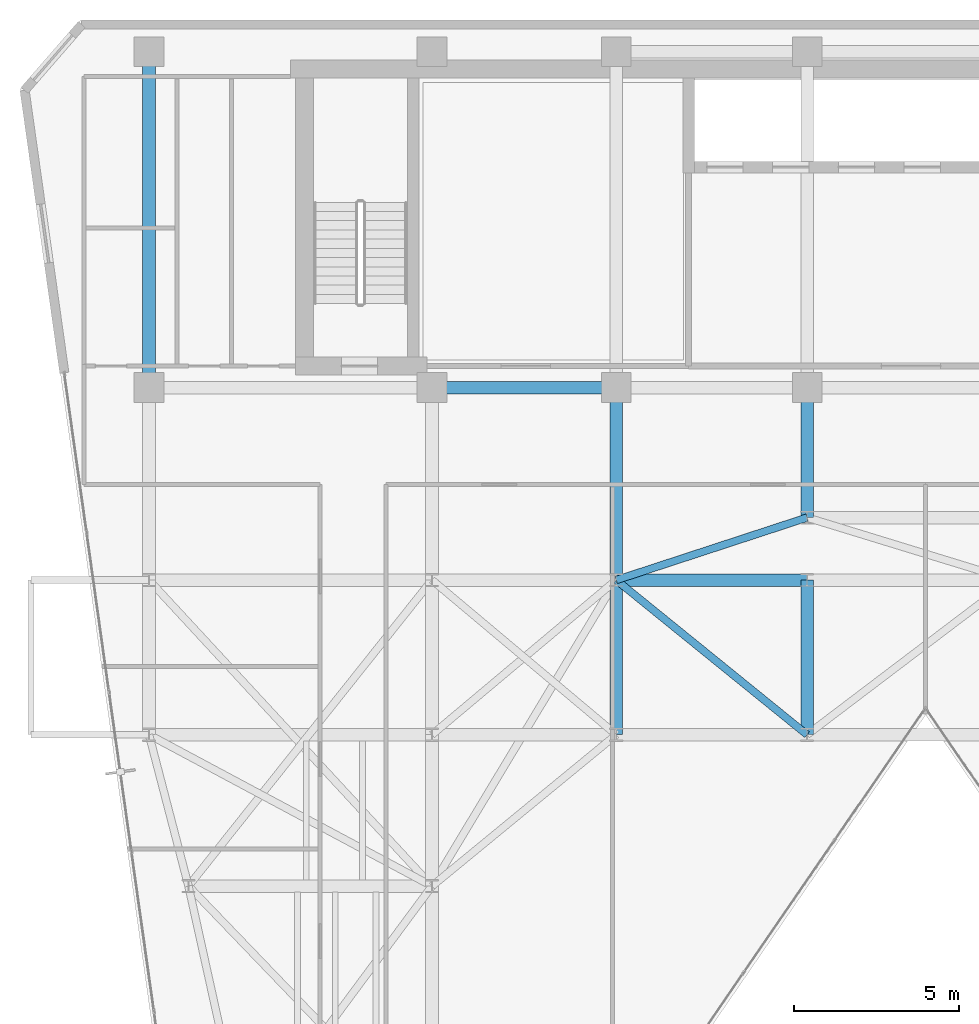
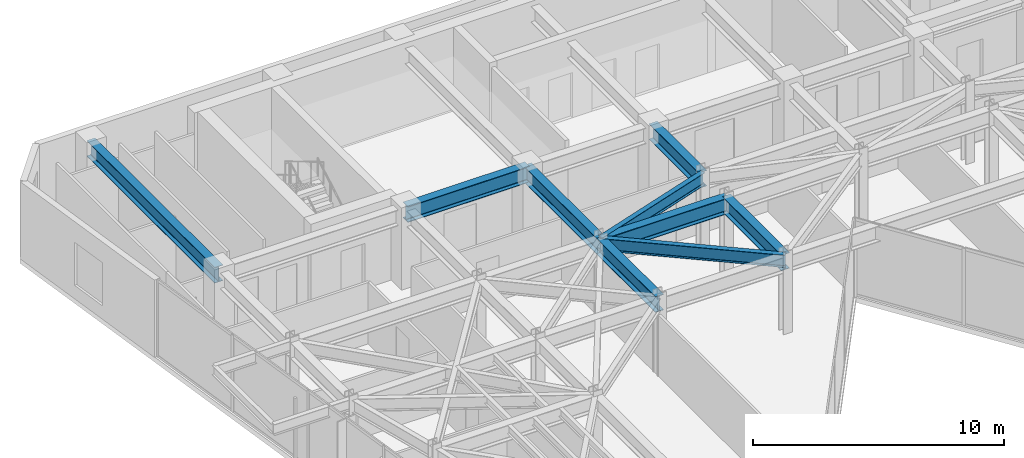
# One storey, part 13 of 26: 9 beams.
"""IFC4 building model written with IfcOpenShell, lengths in metres."""

from ifc_helpers import new_model, si_unit, direction, frame, origin, origin_2d, place, context, subcontext, project, spatial, i_section, extrude, material, material_profile, profile_set, type_object, element, save


model = new_model("IFC4")

# Units and contexts
model_context = context("Model", 3, precision=1e-05, world=origin(), true_north=direction((0.0, 1.0)))
body_context = subcontext(model_context, "Body", "Model", "MODEL_VIEW")
ifc_project = project(units=[si_unit("LENGTHUNIT", "METRE"), si_unit("AREAUNIT", "SQUARE_METRE"), si_unit("VOLUMEUNIT", "CUBIC_METRE"), si_unit("PLANEANGLEUNIT", "RADIAN"), si_unit("MASSUNIT", "GRAM", prefix="KILO")], contexts=[model_context])

# Site, building, storey
site_placement = place(None, origin())
site = spatial("IfcSite", under=ifc_project, at=site_placement, CompositionType="ELEMENT")
building_placement = place(site_placement, origin())
building = spatial("IfcBuilding", under=site, at=building_placement, Name="Kravanh Interchange Tower", CompositionType="ELEMENT")
storey_placement = place(building_placement, frame((0.0, 0.0, 212.5)))
storey = spatial("IfcBuildingStorey", under=building, at=storey_placement, Name="L51", CompositionType="ELEMENT", Elevation=212.5)

# Beams
ifc_material_1 = material(Name="Structural Steel S355", Category="steel")
ifc_material_profile_1 = material_profile(ifc_material_1, i_section(OverallWidth=0.381103515625, OverallDepth=0.77294921875, WebThickness=0.0166015625, FlangeThickness=0.027099609375, FilletRadius=0.02490234375, at=origin_2d()), Name="W30X173")
ifc_profile_set_1 = profile_set([ifc_material_profile_1], Name="Structural Steel S355")
beam_type_1 = type_object("IfcBeamType", Name="Floor Beam W30X173 Structural Steel S355", PredefinedType="BEAM", material=ifc_profile_set_1)
beam_1_placement = place(storey_placement, frame((38.60009765625, 37.35009765625, 3.368408203125), z_axis=(0.0, -1.0, 0.0), x_axis=(1.0, 0.0, 0.0)))
element("IfcBeam", 1, at=beam_1_placement, inside=storey, type_object=beam_type_1, Name="L51 Primary Floor Girder 16", PredefinedType="BEAM", context=body_context, shape_type="SweptSolid", body=[
    extrude(i_section(OverallWidth=0.381103515625, OverallDepth=0.77294921875, WebThickness=0.0166015625, FlangeThickness=0.027099609375, FilletRadius=0.02490234375, at=origin_2d()), origin(), (0.0, 0.0, 1.0), 3.9501953125),
])
beam_2_placement = place(storey_placement, frame((32.800048828125, 37.35009765625, 3.368408203125), z_axis=(-1.0, 0.0, 0.0), x_axis=(0.0, -1.0, 0.0)))
element("IfcBeam", 2, at=beam_2_placement, inside=storey, type_object=beam_type_1, Name="L51 Primary Floor Girder 20", PredefinedType="BEAM", context=body_context, shape_type="SweptSolid", body=[
    extrude(i_section(OverallWidth=0.381103515625, OverallDepth=0.77294921875, WebThickness=0.0166015625, FlangeThickness=0.027099609375, FilletRadius=0.02490234375, at=origin_2d()), origin(), (0.0, 0.0, 1.0), 5.60009765625),
])
beam_3_placement = place(storey_placement, frame((32.800048828125, 37.35009765625, 3.368408203125), z_axis=(0.0, -1.0, 0.0), x_axis=(1.0, 0.0, 0.0)))
element("IfcBeam", 3, at=beam_3_placement, inside=storey, type_object=beam_type_1, Name="L51 Primary Floor Girder 21", PredefinedType="BEAM", context=body_context, shape_type="SweptSolid", body=[
    extrude(i_section(OverallWidth=0.381103515625, OverallDepth=0.77294921875, WebThickness=0.0166015625, FlangeThickness=0.027099609375, FilletRadius=0.02490234375, at=origin_2d()), origin(), (0.0, 0.0, 1.0), 5.85009765625),
])
beam_4_placement = place(storey_placement, frame((18.60009765625, 37.35009765625, 3.368408203125), z_axis=(0.0, 1.0, 0.0), x_axis=(-1.0, 0.0, 0.0)))
element("IfcBeam", 4, at=beam_4_placement, inside=storey, type_object=beam_type_1, Name="L51 Primary Floor Girder 29", PredefinedType="BEAM", context=body_context, shape_type="SweptSolid", body=[
    extrude(i_section(OverallWidth=0.381103515625, OverallDepth=0.77294921875, WebThickness=0.0166015625, FlangeThickness=0.027099609375, FilletRadius=0.02490234375, at=origin_2d()), origin(), (0.0, 0.0, 1.0), 10.199951171875),
])
for number, where, z_axis, x_axis, name in (
    (5, (32.800048828125, 26.800048828125, 3.368408203125), (0.0, 1.0, 0.0), (-1.0, 0.0, 0.0), "L51 Primary Floor Girder 41"),
    (6, (38.60009765625, 26.800048828125, 3.368408203125), (0.0, 1.0, 0.0), (-1.0, 0.0, 0.0), "L51 Primary Floor Girder 45"),
):
    element("IfcBeam", number, at=place(storey_placement, frame(where, z_axis=z_axis, x_axis=x_axis)), inside=storey, type_object=beam_type_1, Name=name, PredefinedType="BEAM", context=body_context, shape_type="SweptSolid", body=[
        extrude(i_section(OverallWidth=0.381103515625, OverallDepth=0.77294921875, WebThickness=0.0166015625, FlangeThickness=0.027099609375, FilletRadius=0.02490234375, at=origin_2d()), origin(), (0.0, 0.0, 1.0), 4.699951171875),
    ])
beam_5_placement = place(storey_placement, frame((32.800048828125, 31.5, 3.368408203125), z_axis=(1.0, 0.0, 0.0), x_axis=(0.0, 1.0, 0.0)))
element("IfcBeam", 7, at=beam_5_placement, inside=storey, type_object=beam_type_1, Name="L51 Primary Floor Girder 67", PredefinedType="BEAM", context=body_context, shape_type="SweptSolid", body=[
    extrude(i_section(OverallWidth=0.381103515625, OverallDepth=0.77294921875, WebThickness=0.0166015625, FlangeThickness=0.027099609375, FilletRadius=0.02490234375, at=origin_2d()), origin(), (0.0, 0.0, 1.0), 5.800048828125),
])
ifc_material_2 = material(Name="Structural Steel S355", Category="steel")
ifc_material_profile_2 = material_profile(ifc_material_2, i_section(OverallWidth=0.22802734375, OverallDepth=0.60791015625, WebThickness=0.01123046875, FlangeThickness=0.017333984375, FilletRadius=0.02197265625, at=origin_2d()), Name="W24X76")
ifc_profile_set_2 = profile_set([ifc_material_profile_2], Name="Structural Steel S355")
beam_type_2 = type_object("IfcBeamType", Name="Floor Spandrel W24X76 Structural Steel S355", PredefinedType="SPANDREL", material=ifc_profile_set_2)
beam_6_placement = place(storey_placement, frame((38.60009765625, 26.800048828125, 3.450927734375), z_axis=(-0.776938619557, 0.629576350764, 0.0), x_axis=(-0.629576350764, -0.776938619557, 0.0)))
element("IfcBeam", 8, at=beam_6_placement, inside=storey, type_object=beam_type_2, Name="L51 Perimeter Spandrel 46", PredefinedType="SPANDREL", context=body_context, shape_type="SweptSolid", body=[
    extrude(i_section(OverallWidth=0.22802734375, OverallDepth=0.60791015625, WebThickness=0.01123046875, FlangeThickness=0.017333984375, FilletRadius=0.02197265625, at=origin_2d()), origin(), (0.0, 0.0, 1.0), 7.46533203125),
])
beam_7_placement = place(storey_placement, frame((32.800048828125, 31.5, 3.450927734375), z_axis=(0.950314536578, 0.31129131303, 0.0), x_axis=(-0.31129131303, 0.950314536578, 0.0)))
element("IfcBeam", 9, at=beam_7_placement, inside=storey, type_object=beam_type_2, Name="L51 Perimeter Spandrel 68", PredefinedType="SPANDREL", context=body_context, shape_type="SweptSolid", body=[
    extrude(i_section(OverallWidth=0.22802734375, OverallDepth=0.60791015625, WebThickness=0.01123046875, FlangeThickness=0.017333984375, FilletRadius=0.02197265625, at=origin_2d()), origin(), (0.0, 0.0, 1.0), 6.103271484375),
])

save(model, "model.ifc")
